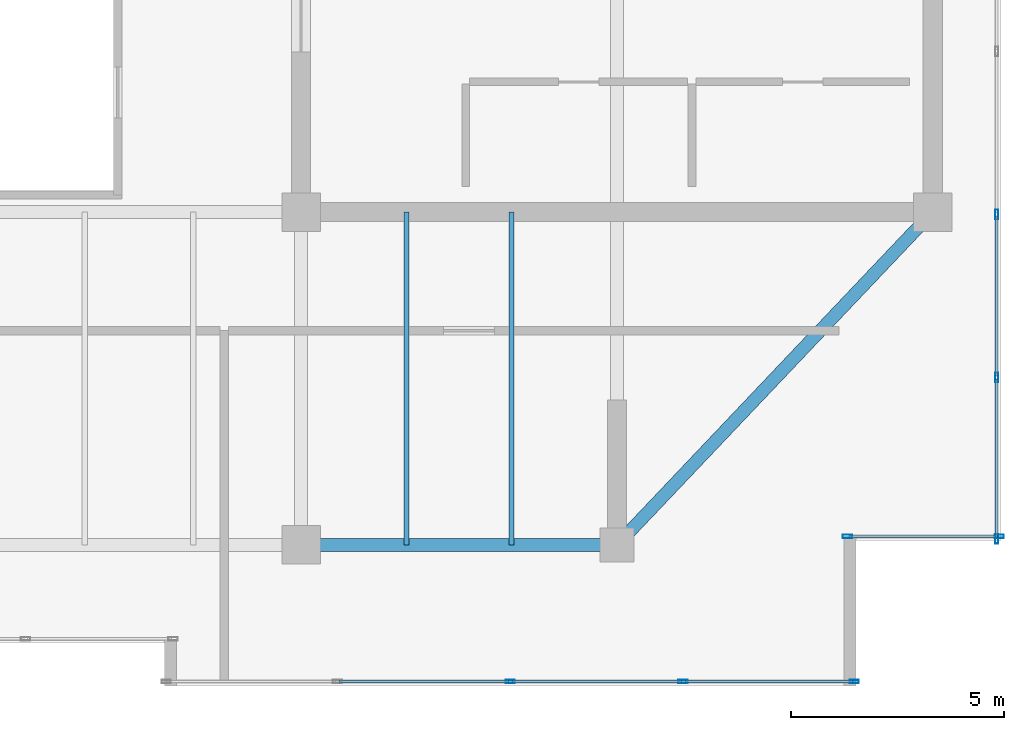
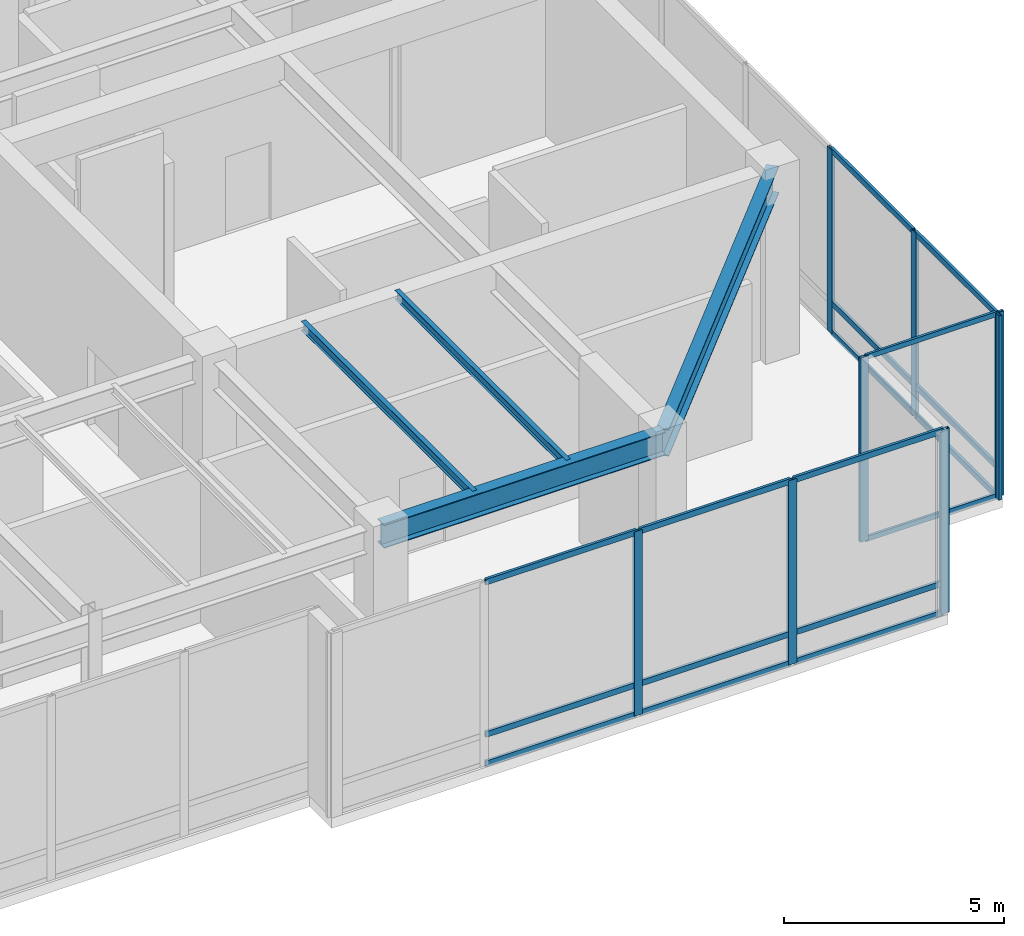
# One storey, part 14 of 30: 25 members, 4 beams, 3 elements without a shape of their own.
"""IFC4 building model written with IfcOpenShell, lengths in metres."""

import ifcopenshell
import ifcopenshell.guid

model = None  # the IFC model being written
_history = None  # IfcOwnerHistory: only IFC2X3 demands one
_inside = {}  # id of a spatial element -> (the spatial element, [elements in it])
_under = {}  # id of a project, library or spatial element -> (it, [spatial elements below it])
_declared = {}  # id of a project -> (the project, [libraries it declares])
_typed = {}  # id of a type object -> (the type object, [elements of that type])
_made_of = {}  # id of a material, layer set ... -> (it, [elements and type objects made of it])


def new_model(schema):
    """Start an empty IFC model of exactly this schema.

    Asked for "IFC4X3", IfcOpenShell would pick the latest addendum, in which some entities
    have other attributes; the version numbers below select the first issue.
    IFC2X3 requires an IfcOwnerHistory on every rooted entity: one is made here for all.
    """
    global model, _history
    if schema == "IFC4X3":
        model = ifcopenshell.file(schema_version=(4, 3, 0, 0))
    else:
        model = ifcopenshell.file(schema=schema)
    _inside.clear()
    _under.clear()
    _declared.clear()
    _typed.clear()
    _made_of.clear()
    _history = None
    if model.schema == "IFC2X3":
        org = make("IfcOrganization", Name="unknown")
        user = make(
            "IfcPersonAndOrganization",
            ThePerson=make("IfcPerson", FamilyName="unknown"),
            TheOrganization=org,
        )
        app = make(
            "IfcApplication",
            ApplicationDeveloper=org,
            Version="unknown",
            ApplicationFullName="unknown",
            ApplicationIdentifier="unknown",
        )
        _history = make(
            "IfcOwnerHistory",
            OwningUser=user,
            OwningApplication=app,
            ChangeAction="ADDED",
            CreationDate=0,
        )
    return model


def make(cls, **values):
    """One entity of the class cls with the attributes given. An attribute that is None is left unset."""
    return model.create_entity(
        cls, **{name: value for name, value in values.items() if value is not None}
    )


def rooted(cls, **values):
    """An entity with a GlobalId (a new one), such as an element, a storey or a relation."""
    return make(cls, GlobalId=ifcopenshell.guid.new(), OwnerHistory=_history, **values)


def si_unit(unit_type, name, prefix=None):
    """IfcSIUnit, for example si_unit("LENGTHUNIT", "METRE", prefix="MILLI")."""
    return make("IfcSIUnit", UnitType=unit_type, Prefix=prefix, Name=name)


def assignment(units):
    """IfcUnitAssignment: the units of a project."""
    return None if units is None else make("IfcUnitAssignment", Units=units)


def point(xyz):
    """IfcCartesianPoint."""
    return None if xyz is None else make("IfcCartesianPoint", Coordinates=xyz)


def direction(xyz):
    """IfcDirection."""
    return None if xyz is None else make("IfcDirection", DirectionRatios=xyz)


def frame(location, z_axis=None, x_axis=None):
    """IfcAxis2Placement3D, a coordinate frame: its origin and axes. An axis left out is left unset."""
    return make(
        "IfcAxis2Placement3D",
        Location=point(location),
        Axis=direction(z_axis),
        RefDirection=direction(x_axis),
    )


def frame_2d(location, x_axis=None):
    """IfcAxis2Placement2D, a coordinate frame in the plane: its origin and x axis."""
    return make(
        "IfcAxis2Placement2D", Location=point(location), RefDirection=direction(x_axis)
    )


def origin():
    """The frame at (0, 0, 0) with its axes left unset."""
    return frame((0.0, 0.0, 0.0))


def origin_2d():
    """The frame at (0, 0) in the plane with its x axis left unset."""
    return frame_2d((0.0, 0.0))


def place(relative_to, where):
    """IfcLocalPlacement: puts the frame where relative to a parent placement (None: the world)."""
    return make(
        "IfcLocalPlacement", PlacementRelTo=relative_to, RelativePlacement=where
    )


def context(
    kind, dimensions, precision=None, world=None, true_north=None, identifier=None
):
    """IfcGeometricRepresentationContext, for example the 3D "Model" context."""
    return make(
        "IfcGeometricRepresentationContext",
        ContextIdentifier=identifier,
        ContextType=kind,
        CoordinateSpaceDimension=dimensions,
        Precision=precision,
        WorldCoordinateSystem=world,
        TrueNorth=true_north,
    )


def subcontext(parent, identifier, kind, view, scale=None):
    """IfcGeometricRepresentationSubContext, for example "Body" below "Model"."""
    return make(
        "IfcGeometricRepresentationSubContext",
        ContextIdentifier=identifier,
        ContextType=kind,
        ParentContext=parent,
        TargetScale=scale,
        TargetView=view,
    )


def project(units=None, contexts=None):
    """IfcProject with its units and contexts."""
    return rooted(
        "IfcProject",
        Name="project",
        RepresentationContexts=contexts,
        UnitsInContext=assignment(units),
    )


def spatial(cls, under=None, at=None, **own):
    """A site, building, storey or space (cls), placed at a placement, below another one or the project."""
    s = rooted(cls, ObjectPlacement=at, **own)
    if under is not None:
        _under.setdefault(under.id(), (under, []))[1].append(s)
    return s


def profile(cls, at=None, kind="AREA", **sizes):
    """A parametric profile (cls). Its sizes go by their IFC names, for example OverallWidth=200.0."""
    return make(cls, ProfileType=kind, Position=at, **sizes)


def hollow_rectangle(**sizes):
    """IfcRectangleHollowProfileDef."""
    return profile("IfcRectangleHollowProfileDef", **sizes)


def i_section(**sizes):
    """IfcIShapeProfileDef."""
    return profile("IfcIShapeProfileDef", **sizes)


def extrude(swept, where, along, depth):
    """IfcExtrudedAreaSolid: the profile swept, set in the frame where, extruded along a direction by depth."""
    return make(
        "IfcExtrudedAreaSolid",
        SweptArea=swept,
        Position=where,
        ExtrudedDirection=direction(along),
        Depth=depth,
    )


def shape(context_of_items, identifier, shape_type, items):
    """IfcShapeRepresentation: the items that make up one representation, for example the "Body"."""
    return make(
        "IfcShapeRepresentation",
        ContextOfItems=context_of_items,
        RepresentationIdentifier=identifier,
        RepresentationType=shape_type,
        Items=items,
    )


def source(mapping_origin, context_of_items, identifier, shape_type, items):
    """IfcRepresentationMap: a shape defined once, which mapped items show again and again."""
    return make(
        "IfcRepresentationMap",
        MappingOrigin=mapping_origin,
        MappedRepresentation=shape(context_of_items, identifier, shape_type, items),
    )


def transform(
    local_origin,
    x_axis=None,
    y_axis=None,
    z_axis=None,
    scale=None,
    scale2=None,
    scale3=None,
    uniform=True,
):
    """IfcCartesianTransformationOperator3D, or its non-uniform kind. x_axis, y_axis, z_axis: its Axis1, 2, 3."""
    if uniform:
        return make(
            "IfcCartesianTransformationOperator3D",
            Axis1=direction(x_axis),
            Axis2=direction(y_axis),
            LocalOrigin=point(local_origin),
            Scale=scale,
            Axis3=direction(z_axis),
        )
    return make(
        "IfcCartesianTransformationOperator3DnonUniform",
        Axis1=direction(x_axis),
        Axis2=direction(y_axis),
        LocalOrigin=point(local_origin),
        Scale=scale,
        Axis3=direction(z_axis),
        Scale2=scale2,
        Scale3=scale3,
    )


def mapped(mapping_source, mapping_target):
    """IfcMappedItem: shows the shape of a source again, moved by a transform."""
    return make(
        "IfcMappedItem", MappingSource=mapping_source, MappingTarget=mapping_target
    )


def material(Name=None, Category=None):
    """IfcMaterial."""
    return make("IfcMaterial", Name=Name, Category=Category)


def layer(
    of_material, thickness, ventilated=None, Name=None, Category=None, Priority=None
):
    """IfcMaterialLayer: one layer of a wall or slab, of a material (None: an air gap)."""
    return make(
        "IfcMaterialLayer",
        Material=of_material,
        LayerThickness=thickness,
        IsVentilated=ventilated,
        Name=Name,
        Category=Category,
        Priority=Priority,
    )


def layer_set(layers, Name=None):
    """IfcMaterialLayerSet."""
    return make("IfcMaterialLayerSet", MaterialLayers=layers, LayerSetName=Name)


def material_profile(
    of_material, cross_section, Name=None, Category=None, Priority=None
):
    """IfcMaterialProfile: a cross section and its material."""
    return make(
        "IfcMaterialProfile",
        Name=Name,
        Material=of_material,
        Profile=cross_section,
        Priority=Priority,
        Category=Category,
    )


def profile_set(profiles, Name=None, composite=None):
    """IfcMaterialProfileSet."""
    return make(
        "IfcMaterialProfileSet",
        Name=Name,
        MaterialProfiles=profiles,
        CompositeProfile=composite,
    )


def made_of(thing, what):
    """Note that an element or type object is made of a material, layer set ...; save() writes the relation."""
    if what is not None:
        _made_of.setdefault(what.id(), (what, []))[1].append(thing)
    return thing


def type_object(cls, material=None, **own):
    """A type object (cls), such as IfcWallType, which elements share."""
    return made_of(rooted(cls, **own), material)


def type_shapes(of_type, sources):
    """Give a type object the sources (RepresentationMaps) that its elements show as mapped items."""
    of_type.RepresentationMaps = sources


def element(
    cls,
    number,
    at=None,
    inside=None,
    cuts=None,
    type_object=None,
    material=None,
    context=None,
    identifier="Body",
    shape_type=None,
    held_by="IfcProductDefinitionShape",
    body=None,
    shapes=None,
    **own,
):
    """One element of the class cls, such as IfcWall. Its Tag is "e" and its number.

    at: its placement. inside: the storey or other place that contains it. cuts: it is an
    opening in that element (IfcRelVoidsElement). A single representation is given by context,
    identifier, shape_type and body (its items); several are given by shapes. held_by: the class
    of the entity that holds the representations. save() writes the other relations.
    """
    e = rooted(cls, Tag="e%d" % number, ObjectPlacement=at, **own)
    if body is not None:
        shapes = [shape(context, identifier, shape_type, body)]
    if shapes is not None:
        e.Representation = make(held_by, Representations=shapes)
    if inside is not None:
        _inside.setdefault(inside.id(), (inside, []))[1].append(e)
    if cuts is not None:
        rooted(
            "IfcRelVoidsElement", RelatingBuildingElement=cuts, RelatedOpeningElement=e
        )
    if type_object is not None:
        _typed.setdefault(type_object.id(), (type_object, []))[1].append(e)
    return made_of(e, material)


def aggregate(whole, parts):
    """IfcRelAggregates: a whole, such as a stair, and the parts it consists of."""
    return rooted("IfcRelAggregates", RelatingObject=whole, RelatedObjects=parts)


def save(model, path):
    """Write the relations noted so far, then the file.

    IfcRelAggregates (storeys below a building ...), IfcRelContainedInSpatialStructure (elements
    in a storey), IfcRelDefinesByType, IfcRelAssociatesMaterial and IfcRelDeclares: one each for
    every whole, place, type object, material and project.
    """
    for whole, parts in _under.values():
        aggregate(whole, parts)
    for where, things in _inside.values():
        rooted(
            "IfcRelContainedInSpatialStructure",
            RelatedElements=things,
            RelatingStructure=where,
        )
    for kind, things in _typed.values():
        rooted("IfcRelDefinesByType", RelatedObjects=things, RelatingType=kind)
    for what, things in _made_of.values():
        rooted("IfcRelAssociatesMaterial", RelatedObjects=things, RelatingMaterial=what)
    for by, libraries in _declared.values():
        rooted("IfcRelDeclares", RelatingContext=by, RelatedDefinitions=libraries)
    model.write(path)


model = new_model("IFC4")

# Units and contexts
model_context = context("Model", 3, precision=1e-05, world=origin(), true_north=direction((0.0, 1.0)))
body_context = subcontext(model_context, "Body", "Model", "MODEL_VIEW")
ifc_project = project(units=[si_unit("LENGTHUNIT", "METRE"), si_unit("AREAUNIT", "SQUARE_METRE"), si_unit("VOLUMEUNIT", "CUBIC_METRE"), si_unit("PLANEANGLEUNIT", "RADIAN"), si_unit("MASSUNIT", "GRAM", prefix="KILO")], contexts=[model_context])

# Site, building, storey
site_placement = place(None, origin())
site = spatial("IfcSite", under=ifc_project, at=site_placement, CompositionType="ELEMENT")
building_placement = place(site_placement, origin())
building = spatial("IfcBuilding", under=site, at=building_placement, Name="Haelvirn Gate Laboratories", CompositionType="ELEMENT")
storey_placement = place(building_placement, frame((0.0, 0.0, 332.39990234375)))
storey = spatial("IfcBuildingStorey", under=building, at=storey_placement, Name="L79", CompositionType="ELEMENT", Elevation=332.39990234375)

# Beams
ifc_material_1 = material(Name="Steel SM355", Category="steel")
ifc_material_profile_1 = material_profile(ifc_material_1, i_section(OverallWidth=0.300048828125, OverallDepth=0.64990234375, WebThickness=0.012939453125, FlangeThickness=0.02197265625, at=origin_2d()), Name="H-650x300x13x22")
ifc_profile_set_1 = profile_set([ifc_material_profile_1], Name="Steel SM355")
beam_type_1 = type_object("IfcBeamType", Name="BM-G-650", PredefinedType="BEAM", material=ifc_profile_set_1)
shared_shape_1 = source(origin(), body_context, "Body", "SweptSolid", [
    extrude(i_section(OverallWidth=0.300048828125, OverallDepth=0.64990234375, WebThickness=0.012939453125, FlangeThickness=0.02197265625, at=origin_2d()), origin(), (0.0, 0.0, 1.0), 7.39990234375),
])
type_shapes(beam_type_1, [shared_shape_1])
beam_1_placement = place(storey_placement, frame((52.60009765625, 7.0, 4.795166015625), z_axis=(1.0, 0.0, 0.0), x_axis=(0.0, 1.0, 0.0)))
element("IfcBeam", 1, at=beam_1_placement, inside=storey, type_object=beam_type_1, Name="L79 Primary Girder Y7.0 (52.6-60.0)", PredefinedType="BEAM", context=body_context, shape_type="MappedRepresentation", body=[
    mapped(shared_shape_1, transform((0.0, 0.0, 0.0), scale=1.0)),
])
ifc_material_profile_2 = material_profile(ifc_material_1, i_section(OverallWidth=0.125, OverallDepth=0.25, WebThickness=0.006103515625, FlangeThickness=0.009033203125, at=origin_2d()), Name="H-250x125x6x9")
ifc_profile_set_2 = profile_set([ifc_material_profile_2], Name="Steel SM355")
beam_type_2 = type_object("IfcBeamType", Name="BM-J-250", PredefinedType="JOIST", material=ifc_profile_set_2)
shared_shape_2 = source(origin(), body_context, "Body", "SweptSolid", [
    extrude(i_section(OverallWidth=0.125, OverallDepth=0.25, WebThickness=0.006103515625, FlangeThickness=0.009033203125, at=origin_2d()), origin(), (0.0, 0.0, 1.0), 7.800048828125),
])
type_shapes(beam_type_2, [shared_shape_2])
for number, where, z_axis, x_axis, name in (
    (2, (55.070068359375, 7.0, 4.9951171875), (0.0, 1.0, 0.0), (-1.0, 0.0, 0.0), "L79 Composite Lab Joist South X55.07"),
    (3, (57.530029296875, 7.0, 4.9951171875), (0.0, 1.0, 0.0), (-1.0, 0.0, 0.0), "L79 Composite Lab Joist South X57.53"),
):
    element("IfcBeam", number, at=place(storey_placement, frame(where, z_axis=z_axis, x_axis=x_axis)), inside=storey, type_object=beam_type_2, Name=name, PredefinedType="JOIST", context=body_context, shape_type="MappedRepresentation", body=[
        mapped(shared_shape_2, transform((0.0, 0.0, 0.0), scale=1.0)),
    ])
ifc_material_profile_3 = material_profile(ifc_material_1, i_section(OverallWidth=0.300048828125, OverallDepth=0.75, WebThickness=0.013916015625, FlangeThickness=0.02392578125, at=origin_2d()), Name="H-750x300x14x24")
ifc_profile_set_3 = profile_set([ifc_material_profile_3], Name="Steel SM355")
beam_type_3 = type_object("IfcBeamType", Name="BM-G-750", PredefinedType="BEAM", material=ifc_profile_set_3)
shared_shape_3 = source(origin(), body_context, "Body", "SweptSolid", [
    extrude(i_section(OverallWidth=0.300048828125, OverallDepth=0.75, WebThickness=0.013916015625, FlangeThickness=0.02392578125, at=origin_2d()), origin(), (0.0, 0.0, 1.0), 10.751708984375),
])
type_shapes(beam_type_3, [shared_shape_3])
beam_2_placement = place(storey_placement, frame((60.0, 7.0, 4.7451171875), z_axis=(0.688253384031, 0.725470384902, 0.0), x_axis=(-0.725470384902, 0.688253384031, 0.0)))
element("IfcBeam", 4, at=beam_2_placement, inside=storey, type_object=beam_type_3, Name="L79 Crown Corner Tie Girder SE", PredefinedType="BEAM", context=body_context, shape_type="MappedRepresentation", body=[
    mapped(shared_shape_3, transform((0.0, 0.0, 0.0), scale=1.0)),
])

# Curtain wall, members
ifc_material_2 = material(Name="Anodised bronze unitised aluminium & triple low-E glass", Category="aluminium")
ifc_layer_1 = layer(ifc_material_2, 0.181884765625, Name="CW-SYS-5")
ifc_layer_set_1 = layer_set([ifc_layer_1], Name="Anodised bronze unitised aluminium & triple low-E glass")
curtain_wall_type_1 = type_object("IfcCurtainWallType", Name="CW-SYS-5", PredefinedType="NOTDEFINED", material=ifc_layer_set_1)
curtain_wall_1_placement = place(storey_placement, origin())
curtain_wall_1 = element("IfcCurtainWall", 5, at=curtain_wall_1_placement, inside=storey, type_object=curtain_wall_type_1, Name="L79 Unitised Curtain Wall CW-L79-P0-E06-1", PredefinedType="NOTDEFINED")
ifc_material_3 = material(Name="Extruded aluminium 6063-T6 (anodised bronze)", Category="aluminium")
ifc_material_profile_4 = material_profile(ifc_material_3, hollow_rectangle(XDim=0.06494140625, YDim=0.139892578125, WallThickness=0.00390625, at=origin_2d()), Name="CWT-140x65x4")
ifc_profile_set_4 = profile_set([ifc_material_profile_4], Name="Extruded aluminium 6063-T6 (anodised bronze)")
member_type_1 = type_object("IfcMemberType", Name="CWT-T140", PredefinedType="USERDEFINED", material=ifc_profile_set_4)
shared_shape_4 = source(origin(), body_context, "Body", "SweptSolid", [
    extrude(hollow_rectangle(XDim=0.06494140625, YDim=0.139892578125, WallThickness=0.00390625, at=origin_2d()), origin(), (0.0, 0.0, 1.0), 3.47998046875),
])
type_shapes(member_type_1, [shared_shape_4])
member_1_placement = place(storey_placement, frame((65.43994140625, 7.199951171875, 0.03271484375), z_axis=(1.0, 0.0, 0.0), x_axis=(0.0, 1.0, 0.0)))
member_1 = element("IfcMember", 6, at=member_1_placement, type_object=member_type_1, Name="CW5 transom 1.1", ObjectType="TRANSOM", PredefinedType="USERDEFINED", context=body_context, shape_type="MappedRepresentation", body=[
    mapped(shared_shape_4, transform((0.0, 0.0, 0.0), scale=1.0)),
])
member_2_placement = place(storey_placement, frame((65.43994140625, 7.199951171875, 5.087646484375), z_axis=(1.0, 0.0, 0.0), x_axis=(0.0, 1.0, 0.0)))
member_2 = element("IfcMember", 7, at=member_2_placement, type_object=member_type_1, Name="CW5 transom 1.2", ObjectType="TRANSOM", PredefinedType="USERDEFINED", context=body_context, shape_type="MappedRepresentation", body=[
    mapped(shared_shape_4, transform((0.0, 0.0, 0.0), scale=1.0)),
])

ifc_layer_2 = layer(ifc_material_2, 0.19189453125, Name="CW-SYS-6")
ifc_layer_set_2 = layer_set([ifc_layer_2], Name="Anodised bronze unitised aluminium & triple low-E glass")
curtain_wall_type_2 = type_object("IfcCurtainWallType", Name="CW-SYS-6", PredefinedType="NOTDEFINED", material=ifc_layer_set_2)
curtain_wall_2_placement = place(storey_placement, origin())
curtain_wall_2 = element("IfcCurtainWall", 8, at=curtain_wall_2_placement, inside=storey, type_object=curtain_wall_type_2, Name="L79 Unitised Curtain Wall CW-L79-P0-E04-1", PredefinedType="NOTDEFINED")
ifc_material_profile_5 = material_profile(ifc_material_3, hollow_rectangle(XDim=0.080078125, YDim=0.219970703125, WallThickness=0.006103515625, at=origin_2d()), Name="CWM-220x80x6")
ifc_profile_set_5 = profile_set([ifc_material_profile_5], Name="Extruded aluminium 6063-T6 (anodised bronze)")
member_type_2 = type_object("IfcMemberType", Name="CWM-T220", PredefinedType="MULLION", material=ifc_profile_set_5)
shared_shape_5 = source(origin(), body_context, "Body", "SweptSolid", [
    extrude(hollow_rectangle(XDim=0.080078125, YDim=0.219970703125, WallThickness=0.006103515625, at=origin_2d()), origin(), (0.0, 0.0, 1.0), 5.1201171875),
])
type_shapes(member_type_2, [shared_shape_5])
member_3_placement = place(storey_placement, frame((57.5, 3.800048828125, 0.0), z_axis=(0.0, 0.0, 1.0), x_axis=(0.0, 1.0, 0.0)))
member_3 = element("IfcMember", 9, at=member_3_placement, type_object=member_type_2, Name="CW6 mullion 3", PredefinedType="MULLION", context=body_context, shape_type="MappedRepresentation", body=[
    mapped(shared_shape_5, transform((0.0, 0.0, 0.0), scale=1.0)),
])
member_4_placement = place(storey_placement, frame((61.550048828125, 3.800048828125, 0.0), z_axis=(0.0, 0.0, 1.0), x_axis=(0.0, 1.0, 0.0)))
member_4 = element("IfcMember", 10, at=member_4_placement, type_object=member_type_2, Name="CW6 mullion 4", PredefinedType="MULLION", context=body_context, shape_type="MappedRepresentation", body=[
    mapped(shared_shape_5, transform((0.0, 0.0, 0.0), scale=1.0)),
])
member_5_placement = place(storey_placement, frame((65.56005859375, 3.800048828125, 0.0), z_axis=(0.0, 0.0, 1.0), x_axis=(0.0, 1.0, 0.0)))
member_5 = element("IfcMember", 11, at=member_5_placement, type_object=member_type_2, Name="CW6 mullion 5", PredefinedType="MULLION", context=body_context, shape_type="MappedRepresentation", body=[
    mapped(shared_shape_5, transform((0.0, 0.0, 0.0), scale=1.0)),
])

# Member
member_6_placement = place(storey_placement, frame((65.39990234375, 7.199951171875, 0.0), z_axis=(0.0, 0.0, 1.0), x_axis=(0.0, 1.0, 0.0)))
member_6 = element("IfcMember", 12, at=member_6_placement, type_object=member_type_2, Name="CW5 mullion 1", PredefinedType="MULLION", context=body_context, shape_type="MappedRepresentation", body=[
    mapped(shared_shape_5, transform((0.0, 0.0, 0.0), scale=1.0)),
])

member_7_placement = place(storey_placement, frame((68.9599609375, 7.199951171875, 0.0), z_axis=(0.0, 0.0, 1.0), x_axis=(0.0, 1.0, 0.0)))
member_7 = element("IfcMember", 13, at=member_7_placement, type_object=member_type_2, Name="CW5 mullion 2", PredefinedType="MULLION", context=body_context, shape_type="MappedRepresentation", body=[
    mapped(shared_shape_5, transform((0.0, 0.0, 0.0), scale=1.0)),
])

aggregate(curtain_wall_1, [member_6, member_7, member_1, member_2])

# Curtain wall, members
curtain_wall_3_placement = place(storey_placement, origin())
curtain_wall_3 = element("IfcCurtainWall", 14, at=curtain_wall_3_placement, inside=storey, type_object=curtain_wall_type_2, Name="L79 Unitised Curtain Wall CW-L79-P0-E07", PredefinedType="NOTDEFINED")
member_8_placement = place(storey_placement, frame((68.89990234375, 7.139892578125, 0.0), z_axis=(0.0, 0.0, 1.0), x_axis=(-1.0, 0.0, 0.0)))
member_8 = element("IfcMember", 15, at=member_8_placement, type_object=member_type_2, Name="CW6 mullion 1", PredefinedType="MULLION", context=body_context, shape_type="MappedRepresentation", body=[
    mapped(shared_shape_5, transform((0.0, 0.0, 0.0), scale=1.0)),
])
member_9_placement = place(storey_placement, frame((68.89990234375, 10.922119140625, 0.0), z_axis=(0.0, 0.0, 1.0), x_axis=(-1.0, 0.0, 0.0)))
member_9 = element("IfcMember", 16, at=member_9_placement, type_object=member_type_2, Name="CW6 mullion 2", PredefinedType="MULLION", context=body_context, shape_type="MappedRepresentation", body=[
    mapped(shared_shape_5, transform((0.0, 0.0, 0.0), scale=1.0)),
])
member_10_placement = place(storey_placement, frame((68.89990234375, 14.744384765625, 0.0), z_axis=(0.0, 0.0, 1.0), x_axis=(-1.0, 0.0, 0.0)))
member_10 = element("IfcMember", 17, at=member_10_placement, type_object=member_type_2, Name="CW6 mullion 3", PredefinedType="MULLION", context=body_context, shape_type="MappedRepresentation", body=[
    mapped(shared_shape_5, transform((0.0, 0.0, 0.0), scale=1.0)),
])

# Member
ifc_material_profile_6 = material_profile(ifc_material_3, hollow_rectangle(XDim=0.070068359375, YDim=0.159912109375, WallThickness=0.0048828125, at=origin_2d()), Name="CWT-160x70x5")
ifc_profile_set_6 = profile_set([ifc_material_profile_6], Name="Extruded aluminium 6063-T6 (anodised bronze)")
member_type_3 = type_object("IfcMemberType", Name="CWT-T160", PredefinedType="USERDEFINED", material=ifc_profile_set_6)
shared_shape_6 = source(origin(), body_context, "Body", "SweptSolid", [
    extrude(hollow_rectangle(XDim=0.070068359375, YDim=0.159912109375, WallThickness=0.0048828125, at=origin_2d()), origin(), (0.0, 0.0, 1.0), 3.929931640625),
])
member_11_placement = place(storey_placement, frame((61.590087890625, 3.800048828125, 0.03515625), z_axis=(1.0, 0.0, 0.0), x_axis=(0.0, 1.0, 0.0)))
member_11 = element("IfcMember", 18, at=member_11_placement, type_object=member_type_3, Name="CW6 transom 4.1", ObjectType="TRANSOM", PredefinedType="USERDEFINED", context=body_context, shape_type="MappedRepresentation", body=[
    mapped(shared_shape_6, transform((0.0, 0.0, 0.0), scale=1.0)),
])

member_12_placement = place(storey_placement, frame((61.590087890625, 3.800048828125, 0.85009765625), z_axis=(1.0, 0.0, 0.0), x_axis=(0.0, 1.0, 0.0)))
member_12 = element("IfcMember", 19, at=member_12_placement, type_object=member_type_3, Name="CW6 transom 4.2", ObjectType="TRANSOM", PredefinedType="USERDEFINED", context=body_context, shape_type="MappedRepresentation", body=[
    mapped(shared_shape_6, transform((0.0, 0.0, 0.0), scale=1.0)),
])

member_13_placement = place(storey_placement, frame((61.590087890625, 3.800048828125, 5.085205078125), z_axis=(1.0, 0.0, 0.0), x_axis=(0.0, 1.0, 0.0)))
member_13 = element("IfcMember", 20, at=member_13_placement, type_object=member_type_3, Name="CW6 transom 4.3", ObjectType="TRANSOM", PredefinedType="USERDEFINED", context=body_context, shape_type="MappedRepresentation", body=[
    mapped(shared_shape_6, transform((0.0, 0.0, 0.0), scale=1.0)),
])

shared_shape_7 = source(origin(), body_context, "Body", "SweptSolid", [
    extrude(hollow_rectangle(XDim=0.070068359375, YDim=0.159912109375, WallThickness=0.0048828125, at=origin_2d()), origin(), (0.0, 0.0, 1.0), 3.969970703125),
])
member_14_placement = place(storey_placement, frame((53.489990234375, 3.800048828125, 0.03515625), z_axis=(1.0, 0.0, 0.0), x_axis=(0.0, 1.0, 0.0)))
member_14 = element("IfcMember", 21, at=member_14_placement, type_object=member_type_3, Name="CW6 transom 2.1", ObjectType="TRANSOM", PredefinedType="USERDEFINED", context=body_context, shape_type="MappedRepresentation", body=[
    mapped(shared_shape_7, transform((0.0, 0.0, 0.0), scale=1.0)),
])

member_15_placement = place(storey_placement, frame((53.489990234375, 3.800048828125, 0.85009765625), z_axis=(1.0, 0.0, 0.0), x_axis=(0.0, 1.0, 0.0)))
member_15 = element("IfcMember", 22, at=member_15_placement, type_object=member_type_3, Name="CW6 transom 2.2", ObjectType="TRANSOM", PredefinedType="USERDEFINED", context=body_context, shape_type="MappedRepresentation", body=[
    mapped(shared_shape_7, transform((0.0, 0.0, 0.0), scale=1.0)),
])

member_16_placement = place(storey_placement, frame((53.489990234375, 3.800048828125, 5.085205078125), z_axis=(1.0, 0.0, 0.0), x_axis=(0.0, 1.0, 0.0)))
member_16 = element("IfcMember", 23, at=member_16_placement, type_object=member_type_3, Name="CW6 transom 2.3", ObjectType="TRANSOM", PredefinedType="USERDEFINED", context=body_context, shape_type="MappedRepresentation", body=[
    mapped(shared_shape_7, transform((0.0, 0.0, 0.0), scale=1.0)),
])

member_17_placement = place(storey_placement, frame((57.5400390625, 3.800048828125, 0.03515625), z_axis=(1.0, 0.0, 0.0), x_axis=(0.0, 1.0, 0.0)))
member_17 = element("IfcMember", 24, at=member_17_placement, type_object=member_type_3, Name="CW6 transom 3.1", ObjectType="TRANSOM", PredefinedType="USERDEFINED", context=body_context, shape_type="MappedRepresentation", body=[
    mapped(shared_shape_7, transform((0.0, 0.0, 0.0), scale=1.0)),
])

member_18_placement = place(storey_placement, frame((57.5400390625, 3.800048828125, 0.85009765625), z_axis=(1.0, 0.0, 0.0), x_axis=(0.0, 1.0, 0.0)))
member_18 = element("IfcMember", 25, at=member_18_placement, type_object=member_type_3, Name="CW6 transom 3.2", ObjectType="TRANSOM", PredefinedType="USERDEFINED", context=body_context, shape_type="MappedRepresentation", body=[
    mapped(shared_shape_7, transform((0.0, 0.0, 0.0), scale=1.0)),
])

member_19_placement = place(storey_placement, frame((57.5400390625, 3.800048828125, 5.085205078125), z_axis=(1.0, 0.0, 0.0), x_axis=(0.0, 1.0, 0.0)))
member_19 = element("IfcMember", 26, at=member_19_placement, type_object=member_type_3, Name="CW6 transom 3.3", ObjectType="TRANSOM", PredefinedType="USERDEFINED", context=body_context, shape_type="MappedRepresentation", body=[
    mapped(shared_shape_7, transform((0.0, 0.0, 0.0), scale=1.0)),
])

aggregate(curtain_wall_2, [member_3, member_4, member_5, member_14, member_15, member_16, member_17, member_18, member_19, member_11, member_12, member_13])

shared_shape_8 = source(origin(), body_context, "Body", "SweptSolid", [
    extrude(hollow_rectangle(XDim=0.070068359375, YDim=0.159912109375, WallThickness=0.0048828125, at=origin_2d()), origin(), (0.0, 0.0, 1.0), 3.702392578125),
])
member_20_placement = place(storey_placement, frame((68.89990234375, 7.179931640625, 0.03515625), z_axis=(0.0, 1.0, 0.0), x_axis=(-1.0, 0.0, 0.0)))
member_20 = element("IfcMember", 27, at=member_20_placement, type_object=member_type_3, Name="CW6 transom 1.1", ObjectType="TRANSOM", PredefinedType="USERDEFINED", context=body_context, shape_type="MappedRepresentation", body=[
    mapped(shared_shape_8, transform((0.0, 0.0, 0.0), scale=1.0)),
])

member_21_placement = place(storey_placement, frame((68.89990234375, 7.179931640625, 0.85009765625), z_axis=(0.0, 1.0, 0.0), x_axis=(-1.0, 0.0, 0.0)))
member_21 = element("IfcMember", 28, at=member_21_placement, type_object=member_type_3, Name="CW6 transom 1.2", ObjectType="TRANSOM", PredefinedType="USERDEFINED", context=body_context, shape_type="MappedRepresentation", body=[
    mapped(shared_shape_8, transform((0.0, 0.0, 0.0), scale=1.0)),
])

member_22_placement = place(storey_placement, frame((68.89990234375, 7.179931640625, 5.085205078125), z_axis=(0.0, 1.0, 0.0), x_axis=(-1.0, 0.0, 0.0)))
member_22 = element("IfcMember", 29, at=member_22_placement, type_object=member_type_3, Name="CW6 transom 1.3", ObjectType="TRANSOM", PredefinedType="USERDEFINED", context=body_context, shape_type="MappedRepresentation", body=[
    mapped(shared_shape_8, transform((0.0, 0.0, 0.0), scale=1.0)),
])

shared_shape_9 = source(origin(), body_context, "Body", "SweptSolid", [
    extrude(hollow_rectangle(XDim=0.070068359375, YDim=0.159912109375, WallThickness=0.0048828125, at=origin_2d()), origin(), (0.0, 0.0, 1.0), 3.7421875),
])
type_shapes(member_type_3, [shared_shape_6, shared_shape_7, shared_shape_8, shared_shape_9])
member_23_placement = place(storey_placement, frame((68.89990234375, 10.962158203125, 0.03515625), z_axis=(0.0, 1.0, 0.0), x_axis=(-1.0, 0.0, 0.0)))
member_23 = element("IfcMember", 30, at=member_23_placement, type_object=member_type_3, Name="CW6 transom 2.1", ObjectType="TRANSOM", PredefinedType="USERDEFINED", context=body_context, shape_type="MappedRepresentation", body=[
    mapped(shared_shape_9, transform((0.0, 0.0, 0.0), scale=1.0)),
])

member_24_placement = place(storey_placement, frame((68.89990234375, 10.962158203125, 0.85009765625), z_axis=(0.0, 1.0, 0.0), x_axis=(-1.0, 0.0, 0.0)))
member_24 = element("IfcMember", 31, at=member_24_placement, type_object=member_type_3, Name="CW6 transom 2.2", ObjectType="TRANSOM", PredefinedType="USERDEFINED", context=body_context, shape_type="MappedRepresentation", body=[
    mapped(shared_shape_9, transform((0.0, 0.0, 0.0), scale=1.0)),
])

member_25_placement = place(storey_placement, frame((68.89990234375, 10.962158203125, 5.085205078125), z_axis=(0.0, 1.0, 0.0), x_axis=(-1.0, 0.0, 0.0)))
member_25 = element("IfcMember", 32, at=member_25_placement, type_object=member_type_3, Name="CW6 transom 2.3", ObjectType="TRANSOM", PredefinedType="USERDEFINED", context=body_context, shape_type="MappedRepresentation", body=[
    mapped(shared_shape_9, transform((0.0, 0.0, 0.0), scale=1.0)),
])

aggregate(curtain_wall_3, [member_8, member_9, member_10, member_20, member_21, member_22, member_23, member_24, member_25])

save(model, "model.ifc")
